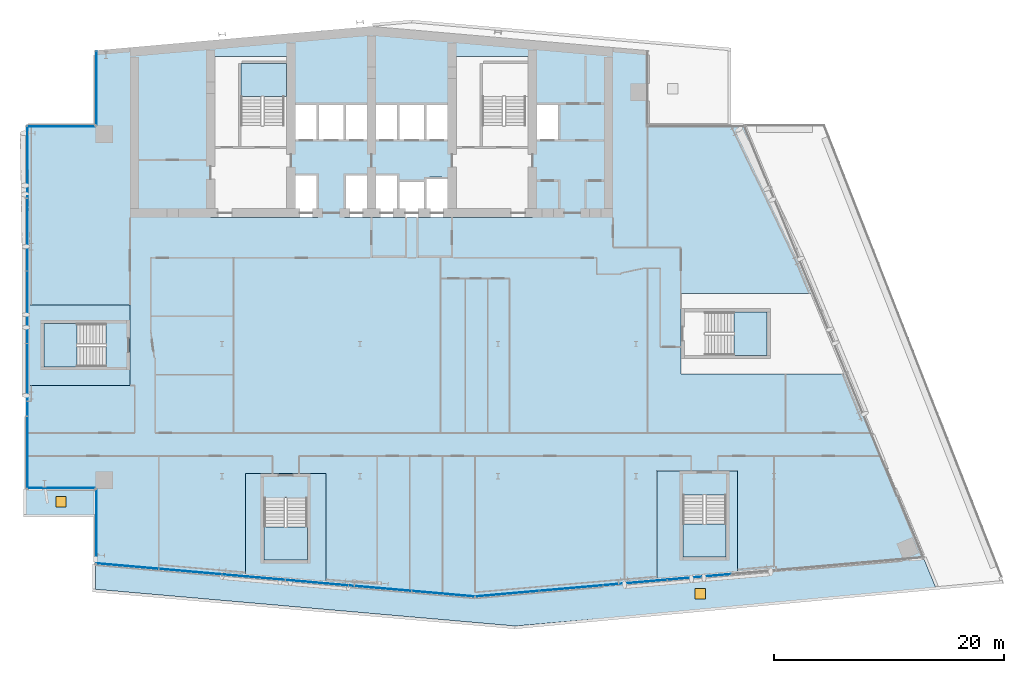
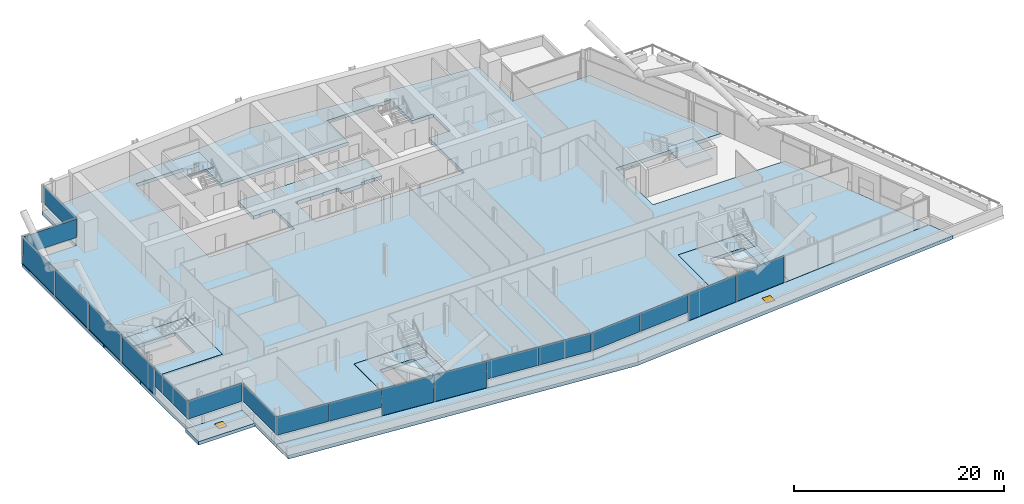
# One storey, part 12 of 30: 19 plates, 11 slabs, 2 doors, 2 openings, 12 elements without a shape of their own.
"""IFC4 building model written with IfcOpenShell, lengths in metres."""

from ifc_helpers import new_model, si_unit, direction, frame, origin, origin_2d, place, context, subcontext, project, spatial, polyline, rectangle, outline, extrude, material, layer, layer_set, type_object, element, fill, aggregate, save


model = new_model("IFC4")

# Units and contexts
model_context = context("Model", 3, precision=1e-05, world=origin(), true_north=direction((0.0, 1.0)))
body_context = subcontext(model_context, "Body", "Model", "MODEL_VIEW")
ifc_project = project(units=[si_unit("LENGTHUNIT", "METRE"), si_unit("AREAUNIT", "SQUARE_METRE"), si_unit("VOLUMEUNIT", "CUBIC_METRE"), si_unit("PLANEANGLEUNIT", "RADIAN"), si_unit("MASSUNIT", "GRAM", prefix="KILO")], contexts=[model_context])

# Site, building, storey
site_placement = place(None, origin())
site = spatial("IfcSite", under=ifc_project, at=site_placement, CompositionType="ELEMENT")
building_placement = place(site_placement, origin())
building = spatial("IfcBuilding", under=site, at=building_placement, Name="Wharfspan Tower", CompositionType="ELEMENT")
storey_placement = place(building_placement, frame((0.0, 0.0, 151.899902)))
storey = spatial("IfcBuildingStorey", under=building, at=storey_placement, Name="L36", CompositionType="ELEMENT", Elevation=151.899902)

# Curtain wall, plates
ifc_material_1 = material(Name="Aluminium 6063-T6", Category="aluminium")
curtain_wall_type_1 = type_object("IfcCurtainWallType", Name="CURTAIN WALL FACETED FRONT", PredefinedType="NOTDEFINED", material=ifc_material_1)
curtain_wall_1_placement = place(storey_placement, origin())
curtain_wall_1 = element("IfcCurtainWall", 1, at=curtain_wall_1_placement, inside=storey, type_object=curtain_wall_type_1, Name="Curtain wall S1", PredefinedType="NOTDEFINED")
ifc_material_2 = material(Name="Glass clear low-iron double glazing", Category="glass")
ifc_layer_1 = layer(ifc_material_2, 0.040039)
ifc_layer_set_1 = layer_set([ifc_layer_1], Name="Glass clear low-iron double glazing")
plate_type_1 = type_object("IfcPlateType", Name="GLASS PANEL FACETED FRONT 40", PredefinedType="CURTAIN_PANEL", material=ifc_layer_set_1)
plate_1_placement = place(storey_placement, frame((15.770264, 3.692871, 1.0), z_axis=(0.0, 0.0, 1.0), x_axis=(0.996198, -0.087156, 0.0)))
plate_1 = element("IfcPlate", 2, at=plate_1_placement, type_object=plate_type_1, Name="Curtain wall S1 panel 1", PredefinedType="CURTAIN_PANEL", context=body_context, shape_type="SweptSolid", body=[
    extrude(rectangle(XDim=5.430908, YDim=0.040039, at=origin_2d()), origin(), (0.0, 0.0, 1.0), 2.120117),
])
plate_2_placement = place(storey_placement, frame((21.255127, 3.213135, 1.0), z_axis=(0.0, 0.0, 1.0), x_axis=(0.996198, -0.087156, 0.0)))
plate_2 = element("IfcPlate", 3, at=plate_2_placement, type_object=plate_type_1, Name="Curtain wall S1 panel 2", PredefinedType="CURTAIN_PANEL", context=body_context, shape_type="SweptSolid", body=[
    extrude(rectangle(XDim=5.460938, YDim=0.040039, at=origin_2d()), origin(), (0.0, 0.0, 1.0), 2.120117),
])
plate_3_placement = place(storey_placement, frame((37.755127, 1.769531, 1.0), z_axis=(0.0, 0.0, 1.0), x_axis=(0.996198, -0.087156, 0.0)))
plate_3 = element("IfcPlate", 4, at=plate_3_placement, type_object=plate_type_1, Name="Curtain wall S1 panel 5", PredefinedType="CURTAIN_PANEL", context=body_context, shape_type="SweptSolid", body=[
    extrude(rectangle(XDim=5.460938, YDim=0.040039, at=origin_2d()), origin(), (0.0, 0.0, 1.0), 2.120117),
])
plate_4_placement = place(storey_placement, frame((43.240234, 1.289551, 1.0), z_axis=(0.0, 0.0, 1.0), x_axis=(0.996198, -0.087156, 0.0)))
plate_4 = element("IfcPlate", 5, at=plate_4_placement, type_object=plate_type_1, Name="Curtain wall S1 panel 6", PredefinedType="CURTAIN_PANEL", context=body_context, shape_type="SweptSolid", body=[
    extrude(rectangle(XDim=5.430908, YDim=0.040039, at=origin_2d()), origin(), (0.0, 0.0, 1.0), 2.120117),
])

curtain_wall_2_placement = place(storey_placement, origin())
curtain_wall_2 = element("IfcCurtainWall", 6, at=curtain_wall_2_placement, inside=storey, type_object=curtain_wall_type_1, Name="Curtain wall S2", PredefinedType="NOTDEFINED")
plate_5_placement = place(storey_placement, frame((48.79541, 1.292725, 1.0), z_axis=(0.0, 0.0, 1.0), x_axis=(0.996198, 0.087156, 0.0)))
plate_5 = element("IfcPlate", 7, at=plate_5_placement, type_object=plate_type_1, Name="Curtain wall S2 panel 1", PredefinedType="CURTAIN_PANEL", context=body_context, shape_type="SweptSolid", body=[
    extrude(rectangle(XDim=5.502686, YDim=0.040039, at=origin_2d()), origin(), (0.0, 0.0, 1.0), 2.120117),
])
plate_6_placement = place(storey_placement, frame((54.351807, 1.778809, 1.0), z_axis=(0.0, 0.0, 1.0), x_axis=(0.996198, 0.087156, 0.0)))
plate_6 = element("IfcPlate", 8, at=plate_6_placement, type_object=plate_type_1, Name="Curtain wall S2 panel 2", PredefinedType="CURTAIN_PANEL", context=body_context, shape_type="SweptSolid", body=[
    extrude(rectangle(XDim=5.532715, YDim=0.040039, at=origin_2d()), origin(), (0.0, 0.0, 1.0), 2.120117),
])

# Curtain wall, plate
curtain_wall_type_2 = type_object("IfcCurtainWallType", Name="CURTAIN WALL PROW AND END", PredefinedType="NOTDEFINED", material=ifc_material_1)
curtain_wall_3_placement = place(storey_placement, origin())
curtain_wall_3 = element("IfcCurtainWall", 9, at=curtain_wall_3_placement, inside=storey, type_object=curtain_wall_type_2, Name="Curtain wall NRW-V", PredefinedType="NOTDEFINED")
ifc_layer_2 = layer(ifc_material_2, 0.040039)
ifc_layer_set_2 = layer_set([ifc_layer_2], Name="Glass clear low-iron double glazing")
plate_type_2 = type_object("IfcPlateType", Name="GLASS PANEL PROW AND END 40", PredefinedType="CURTAIN_PANEL", material=ifc_layer_set_2)
plate_7_placement = place(storey_placement, frame((13.080078, 45.262451, 1.0), z_axis=(0.0, 0.0, 1.0), x_axis=(0.0, -1.0, 0.0)))
plate_7 = element("IfcPlate", 10, at=plate_7_placement, type_object=plate_type_2, Name="Curtain wall NRW-V panel 1", PredefinedType="CURTAIN_PANEL", context=body_context, shape_type="SweptSolid", body=[
    extrude(rectangle(XDim=6.405029, YDim=0.040039, at=origin_2d()), origin(), (0.0, 0.0, 1.0), 2.120117),
])
aggregate(curtain_wall_3, [plate_7])

curtain_wall_4_placement = place(storey_placement, origin())
curtain_wall_4 = element("IfcCurtainWall", 11, at=curtain_wall_4_placement, inside=storey, type_object=curtain_wall_type_2, Name="Curtain wall NRW-H", PredefinedType="NOTDEFINED")
plate_8_placement = place(storey_placement, frame((10.0, 41.919922, 1.0), z_axis=(0.0, 0.0, 1.0), x_axis=(-1.0, 0.0, 0.0)))
plate_8 = element("IfcPlate", 12, at=plate_8_placement, type_object=plate_type_2, Name="Curtain wall NRW-H panel 1", PredefinedType="CURTAIN_PANEL", context=body_context, shape_type="SweptSolid", body=[
    extrude(rectangle(XDim=5.879883, YDim=0.040039, at=origin_2d()), origin(), (0.0, 0.0, 1.0), 2.120117),
])
aggregate(curtain_wall_4, [plate_8])

curtain_wall_5_placement = place(storey_placement, origin())
curtain_wall_5 = element("IfcCurtainWall", 13, at=curtain_wall_5_placement, inside=storey, type_object=curtain_wall_type_2, Name="Curtain wall W", PredefinedType="NOTDEFINED")
plate_9_placement = place(storey_placement, frame((7.080078, 13.574951, 1.0), z_axis=(0.0, 0.0, 1.0), x_axis=(0.0, -1.0, 0.0)))
plate_9 = element("IfcPlate", 14, at=plate_9_placement, type_object=plate_type_2, Name="Curtain wall W panel 5", PredefinedType="CURTAIN_PANEL", context=body_context, shape_type="SweptSolid", body=[
    extrude(rectangle(XDim=6.22998, YDim=0.040039, at=origin_2d()), origin(), (0.0, 0.0, 1.0), 2.120117),
])

curtain_wall_6_placement = place(storey_placement, origin())
curtain_wall_6 = element("IfcCurtainWall", 15, at=curtain_wall_6_placement, inside=storey, type_object=curtain_wall_type_2, Name="Curtain wall NFW-H", PredefinedType="NOTDEFINED")
plate_10_placement = place(storey_placement, frame((10.0, 10.47998, 1.0), z_axis=(0.0, 0.0, 1.0), x_axis=(1.0, 0.0, 0.0)))
plate_10 = element("IfcPlate", 16, at=plate_10_placement, type_object=plate_type_2, Name="Curtain wall NFW-H panel 1", PredefinedType="CURTAIN_PANEL", context=body_context, shape_type="SweptSolid", body=[
    extrude(rectangle(XDim=5.879883, YDim=0.040039, at=origin_2d()), origin(), (0.0, 0.0, 1.0), 2.120117),
])
aggregate(curtain_wall_6, [plate_10])

curtain_wall_7_placement = place(storey_placement, origin())
curtain_wall_7 = element("IfcCurtainWall", 17, at=curtain_wall_7_placement, inside=storey, type_object=curtain_wall_type_2, Name="Curtain wall NFW-V", PredefinedType="NOTDEFINED")
plate_11_placement = place(storey_placement, frame((13.080078, 7.137451, 1.0), z_axis=(0.0, 0.0, 1.0), x_axis=(0.0, -1.0, 0.0)))
plate_11 = element("IfcPlate", 18, at=plate_11_placement, type_object=plate_type_2, Name="Curtain wall NFW-V panel 1", PredefinedType="CURTAIN_PANEL", context=body_context, shape_type="SweptSolid", body=[
    extrude(rectangle(XDim=6.405029, YDim=0.040039, at=origin_2d()), origin(), (0.0, 0.0, 1.0), 2.120117),
])
aggregate(curtain_wall_7, [plate_11])

# Plate
ifc_material_3 = material(Name="Aluminium composite opaque insulated panel", Category="aluminium")
ifc_layer_3 = layer(ifc_material_3, 0.040039)
ifc_layer_set_3 = layer_set([ifc_layer_3], Name="Aluminium composite opaque insulated panel")
plate_type_3 = type_object("IfcPlateType", Name="INFILL PANEL FACETED FRONT OPAQUE 40", PredefinedType="SHEET", material=ifc_layer_set_3)
plate_12_placement = place(storey_placement, frame((26.755127, 2.731934, 0.0), z_axis=(0.0, 0.0, 1.0), x_axis=(0.996198, -0.087156, 0.0)))
plate_12 = element("IfcPlate", 19, at=plate_12_placement, type_object=plate_type_3, Name="Curtain wall S1 panel 3", PredefinedType="SHEET", context=body_context, shape_type="SweptSolid", body=[
    extrude(rectangle(XDim=5.460938, YDim=0.040039, at=origin_2d()), origin(), (0.0, 0.0, 1.0), 3.120117),
])

plate_13_placement = place(storey_placement, frame((32.255127, 2.250732, 0.0), z_axis=(0.0, 0.0, 1.0), x_axis=(0.996198, -0.087156, 0.0)))
plate_13 = element("IfcPlate", 20, at=plate_13_placement, type_object=plate_type_3, Name="Curtain wall S1 panel 4", PredefinedType="SHEET", context=body_context, shape_type="SweptSolid", body=[
    extrude(rectangle(XDim=5.460938, YDim=0.040039, at=origin_2d()), origin(), (0.0, 0.0, 1.0), 3.120117),
])

aggregate(curtain_wall_1, [plate_1, plate_2, plate_12, plate_13, plate_3, plate_4])

plate_14_placement = place(storey_placement, frame((59.92334, 2.266357, 0.0), z_axis=(0.0, 0.0, 1.0), x_axis=(0.996198, 0.087156, 0.0)))
plate_14 = element("IfcPlate", 21, at=plate_14_placement, type_object=plate_type_3, Name="Curtain wall S2 panel 3", PredefinedType="SHEET", context=body_context, shape_type="SweptSolid", body=[
    extrude(rectangle(XDim=5.532715, YDim=0.040039, at=origin_2d()), origin(), (0.0, 0.0, 1.0), 3.120117),
])

plate_15_placement = place(storey_placement, frame((65.494873, 2.753662, 0.0), z_axis=(0.0, 0.0, 1.0), x_axis=(0.996198, 0.087156, 0.0)))
plate_15 = element("IfcPlate", 22, at=plate_15_placement, type_object=plate_type_3, Name="Curtain wall S2 panel 4", PredefinedType="SHEET", context=body_context, shape_type="SweptSolid", body=[
    extrude(rectangle(XDim=5.532715, YDim=0.040039, at=origin_2d()), origin(), (0.0, 0.0, 1.0), 3.120117),
])

aggregate(curtain_wall_2, [plate_5, plate_6, plate_14, plate_15])

ifc_layer_4 = layer(ifc_material_3, 0.040039)
ifc_layer_set_4 = layer_set([ifc_layer_4], Name="Aluminium composite opaque insulated panel")
plate_type_4 = type_object("IfcPlateType", Name="INFILL PANEL PROW AND END OPAQUE 40", PredefinedType="SHEET", material=ifc_layer_set_4)
plate_16_placement = place(storey_placement, frame((7.080078, 38.824951, 0.0), z_axis=(0.0, 0.0, 1.0), x_axis=(0.0, -1.0, 0.0)))
plate_16 = element("IfcPlate", 23, at=plate_16_placement, type_object=plate_type_4, Name="Curtain wall W panel 1", PredefinedType="SHEET", context=body_context, shape_type="SweptSolid", body=[
    extrude(rectangle(XDim=6.22998, YDim=0.040039, at=origin_2d()), origin(), (0.0, 0.0, 1.0), 3.120117),
])

plate_17_placement = place(storey_placement, frame((7.080078, 32.52002, 0.0), z_axis=(0.0, 0.0, 1.0), x_axis=(0.0, -1.0, 0.0)))
plate_17 = element("IfcPlate", 24, at=plate_17_placement, type_object=plate_type_4, Name="Curtain wall W panel 2", PredefinedType="SHEET", context=body_context, shape_type="SweptSolid", body=[
    extrude(rectangle(XDim=6.26001, YDim=0.040039, at=origin_2d()), origin(), (0.0, 0.0, 1.0), 3.120117),
])

plate_18_placement = place(storey_placement, frame((7.080078, 26.199951, 0.0), z_axis=(0.0, 0.0, 1.0), x_axis=(0.0, -1.0, 0.0)))
plate_18 = element("IfcPlate", 25, at=plate_18_placement, type_object=plate_type_4, Name="Curtain wall W panel 3", PredefinedType="SHEET", context=body_context, shape_type="SweptSolid", body=[
    extrude(rectangle(XDim=6.26001, YDim=0.040039, at=origin_2d()), origin(), (0.0, 0.0, 1.0), 3.120117),
])

plate_19_placement = place(storey_placement, frame((7.080078, 19.879883, 0.0), z_axis=(0.0, 0.0, 1.0), x_axis=(0.0, -1.0, 0.0)))
plate_19 = element("IfcPlate", 26, at=plate_19_placement, type_object=plate_type_4, Name="Curtain wall W panel 4", PredefinedType="SHEET", context=body_context, shape_type="SweptSolid", body=[
    extrude(rectangle(XDim=6.26001, YDim=0.040039, at=origin_2d()), origin(), (0.0, 0.0, 1.0), 3.120117),
])

aggregate(curtain_wall_5, [plate_16, plate_17, plate_18, plate_19, plate_9])

# Slabs
ifc_material_4 = material(Name="Concrete C40/50", Category="concrete")
ifc_layer_5 = layer(ifc_material_4, 0.399902)
ifc_layer_set_5 = layer_set([ifc_layer_5], Name="Concrete C40/50")
slab_type_1 = type_object("IfcSlabType", Name="Post-tensioned flat slab 400", PredefinedType="FLOOR", material=ifc_layer_set_5)
slab_1_placement = place(storey_placement, frame((0.0, 0.0, -0.400146)))
element("IfcSlab", 27, at=slab_1_placement, inside=storey, type_object=slab_type_1, Name="Floor slab L36", PredefinedType="FLOOR", context=body_context, shape_type="SweptSolid", body=[
    extrude(outline(polyline([(26.029297, 2.735107), (26.029297, 11.744385), (33.049316, 11.744385), (33.049316, 2.121094), (46.0, 0.987793), (61.801514, 2.370361), (61.801514, 11.993652), (68.821289, 11.993652), (68.821289, 2.984619), (85.0, 4.399902), (78.398682, 20.389893), (63.894531, 20.389893), (63.894531, 27.409912), (75.500488, 27.409912), (69.477051, 42.0), (61.0, 42.0), (61.0, 48.524902), (37.0, 50.624756), (13.0, 48.524902), (13.0, 42.0), (7.0, 42.0), (7.0, 26.409912), (16.01001, 26.409912), (16.01001, 19.389893), (7.0, 19.389893), (7.0, 10.399902), (13.0, 10.399902), (13.0, 3.875), (26.029297, 2.735107)]), holes=[polyline([(32.126709, 37.76001), (32.343262, 37.76001), (32.343262, 33.98999), (22.98999, 33.98999), (22.98999, 48.01001), (30.01001, 48.01001), (30.01001, 43.909912), (43.98999, 43.909912), (43.98999, 48.01001), (51.01001, 48.01001), (51.01001, 43.909912), (53.343262, 43.909912), (53.343262, 40.689941), (51.01001, 40.689941), (51.01001, 33.98999), (34.656738, 33.98999), (34.656738, 37.76001), (34.873291, 37.76001), (34.873291, 37.810059), (36.293213, 37.810059), (36.293213, 37.76001), (37.666748, 37.76001), (37.666748, 37.810059), (39.166748, 37.810059), (39.166748, 37.76001), (39.343262, 37.76001), (39.343262, 37.209961), (41.656738, 37.209961), (41.656738, 37.459961), (42.023193, 37.459961), (42.023193, 37.51001), (43.143311, 37.51001), (43.143311, 37.459961), (43.98999, 37.459961), (43.98999, 40.689941), (30.01001, 40.689941), (30.01001, 37.76001), (30.706787, 37.76001), (30.706787, 37.810059), (32.126709, 37.810059), (32.126709, 37.76001)])]), origin(), (0.0, 0.0, 1.0), 0.400146),
])
slab_2_placement = place(storey_placement, frame((0.0, 0.0, -0.400146)))
element("IfcSlab", 28, at=slab_2_placement, inside=storey, type_object=slab_type_1, Name="Core floor slab L36 part 1", PredefinedType="FLOOR", context=body_context, shape_type="SweptSolid", body=[
    extrude(outline(polyline([(16.0, 20.725098), (16.0, 25.074951), (16.0, 26.399902), (7.0, 26.399902), (7.0, 19.399902), (16.0, 19.399902), (16.0, 20.725098)]), holes=[polyline([(13.899902, 24.7771), (13.900146, 24.7771), (13.900391, 24.7771), (13.900635, 24.776855), (13.900879, 24.776855), (13.900879, 24.776855), (13.901123, 24.776611), (13.901367, 24.776611), (13.901367, 24.776367), (13.901611, 24.776367), (13.901611, 24.776123), (13.901855, 24.775879), (13.901855, 24.775879), (13.901855, 24.775635), (13.9021, 24.775391), (13.9021, 24.775146), (13.9021, 24.774902), (13.9021, 21.024902), (13.9021, 21.024902), (13.9021, 21.024658), (13.901855, 21.024414), (13.901855, 21.02417), (13.901855, 21.02417), (13.901611, 21.023926), (13.901611, 21.023682), (13.901367, 21.023682), (13.901367, 21.023438), (13.901123, 21.023193), (13.900879, 21.023193), (13.900879, 21.023193), (13.900635, 21.023193), (13.900391, 21.022949), (13.900146, 21.022949), (13.899902, 21.022949), (8.5, 21.022949), (8.499756, 21.022949), (8.499512, 21.022949), (8.499512, 21.023193), (8.499268, 21.023193), (8.499023, 21.023193), (8.498779, 21.023193), (8.498779, 21.023438), (8.498535, 21.023682), (8.498535, 21.023682), (8.498291, 21.023926), (8.498291, 21.02417), (8.498291, 21.02417), (8.498047, 21.024414), (8.498047, 21.024658), (8.498047, 21.024902), (8.498047, 21.024902), (8.498047, 24.774902), (8.498047, 24.775146), (8.498047, 24.775391), (8.498047, 24.775635), (8.498291, 24.775879), (8.498291, 24.775879), (8.498291, 24.776123), (8.498535, 24.776367), (8.498535, 24.776367), (8.498779, 24.776611), (8.498779, 24.776611), (8.499023, 24.776855), (8.499268, 24.776855), (8.499512, 24.776855), (8.499512, 24.7771), (8.499756, 24.7771), (8.5, 24.7771), (13.899902, 24.7771)])]), origin(), (0.0, 0.0, 1.0), 0.400146),
])
slab_3_placement = place(storey_placement, frame((0.0, 0.0, -0.400146)))
element("IfcSlab", 29, at=slab_3_placement, inside=storey, type_object=slab_type_1, Name="Core floor slab L36 part 2", PredefinedType="FLOOR", context=body_context, shape_type="SweptSolid", body=[
    extrude(outline(polyline([(31.714111, 11.734375), (27.364258, 11.734375), (26.039307, 11.734375), (26.039307, 2.734375), (30.644287, 2.331299), (33.039307, 2.121826), (33.039307, 11.734375), (31.714111, 11.734375)]), holes=[polyline([(27.662109, 9.634277), (27.662109, 9.634521), (27.662354, 9.634766), (27.662354, 9.63501), (27.662354, 9.63501), (27.662598, 9.635254), (27.662598, 9.635498), (27.662598, 9.635498), (27.662842, 9.635742), (27.663086, 9.635742), (27.663086, 9.635986), (27.66333, 9.635986), (27.663574, 9.635986), (27.663574, 9.63623), (27.663818, 9.63623), (27.664062, 9.63623), (27.664307, 9.63623), (31.414307, 9.63623), (31.414307, 9.63623), (31.414551, 9.63623), (31.414795, 9.63623), (31.415039, 9.635986), (31.415283, 9.635986), (31.415283, 9.635986), (31.415527, 9.635742), (31.415527, 9.635742), (31.415771, 9.635498), (31.416016, 9.635498), (31.416016, 9.635254), (31.416016, 9.63501), (31.416016, 9.63501), (31.41626, 9.634766), (31.41626, 9.634521), (31.41626, 9.634277), (31.41626, 4.234375), (31.41626, 4.234131), (31.41626, 4.233887), (31.416016, 4.233643), (31.416016, 4.233398), (31.416016, 4.233398), (31.416016, 4.233154), (31.415771, 4.23291), (31.415527, 4.23291), (31.415527, 4.232666), (31.415283, 4.232666), (31.415283, 4.232422), (31.415039, 4.232422), (31.414795, 4.232422), (31.414551, 4.232422), (31.414307, 4.232422), (31.414307, 4.232422), (27.664307, 4.232422), (27.664062, 4.232422), (27.663818, 4.232422), (27.663574, 4.232422), (27.663574, 4.232422), (27.66333, 4.232422), (27.663086, 4.232666), (27.663086, 4.232666), (27.662842, 4.23291), (27.662598, 4.23291), (27.662598, 4.233154), (27.662598, 4.233398), (27.662354, 4.233398), (27.662354, 4.233643), (27.662354, 4.233887), (27.662109, 4.234131), (27.662109, 4.234375), (27.662109, 9.634277)])]), origin(), (0.0, 0.0, 1.0), 0.400146),
])
slab_4_placement = place(storey_placement, frame((0.0, 0.0, -0.400146)))
element("IfcSlab", 30, at=slab_4_placement, inside=storey, type_object=slab_type_1, Name="Core floor slab L36 part 4", PredefinedType="FLOOR", context=body_context, shape_type="SweptSolid", body=[
    extrude(outline(polyline([(68.811279, 11.983643), (68.136475, 11.983643), (63.786377, 11.983643), (61.811279, 11.983643), (61.811279, 2.371338), (64.644287, 2.619141), (68.811279, 2.983643), (68.811279, 11.983643)]), holes=[polyline([(67.836426, 9.885742), (67.836426, 9.885742), (67.83667, 9.885498), (67.836914, 9.885498), (67.837158, 9.885498), (67.837402, 9.885498), (67.837402, 9.885254), (67.837646, 9.885254), (67.837891, 9.88501), (67.837891, 9.88501), (67.837891, 9.884766), (67.838135, 9.884521), (67.838135, 9.884521), (67.838379, 9.884277), (67.838379, 9.884033), (67.838379, 9.883789), (67.838379, 9.883789), (67.838379, 4.483643), (67.838379, 4.483398), (67.838379, 4.483398), (67.838379, 4.483154), (67.838135, 4.48291), (67.838135, 4.482666), (67.837891, 4.482666), (67.837891, 4.482422), (67.837891, 4.482422), (67.837646, 4.482178), (67.837402, 4.481934), (67.837402, 4.481934), (67.837158, 4.481689), (67.836914, 4.481689), (67.83667, 4.481689), (67.836426, 4.481689), (67.836426, 4.481689), (64.086426, 4.481689), (64.086182, 4.481689), (64.085938, 4.481689), (64.085693, 4.481689), (64.085693, 4.481689), (64.085449, 4.481934), (64.085205, 4.481934), (64.085205, 4.482178), (64.084961, 4.482422), (64.084717, 4.482422), (64.084717, 4.482666), (64.084717, 4.482666), (64.084473, 4.48291), (64.084473, 4.483154), (64.084473, 4.483398), (64.084473, 4.483398), (64.084473, 4.483643), (64.084473, 9.883789), (64.084473, 9.883789), (64.084473, 9.884033), (64.084473, 9.884277), (64.084473, 9.884521), (64.084717, 9.884521), (64.084717, 9.884766), (64.084717, 9.88501), (64.084961, 9.88501), (64.085205, 9.885254), (64.085205, 9.885254), (64.085449, 9.885498), (64.085693, 9.885498), (64.085693, 9.885498), (64.085938, 9.885498), (64.086182, 9.885742), (64.086426, 9.885742), (67.836426, 9.885742)])]), origin(), (0.0, 0.0, 1.0), 0.400146),
])

# Stair, slab
stair_type = type_object("IfcStairType", Name="Half-turn stair 20 risers 180 mm", PredefinedType="HALF_TURN_STAIR", material=ifc_material_4)
stair_1_placement = place(storey_placement, origin())
stair_1 = element("IfcStair", 31, at=stair_1_placement, inside=storey, type_object=stair_type, Name="L36 stair ST1", PredefinedType="HALF_TURN_STAIR")
ifc_layer_6 = layer(ifc_material_4, 0.199951)
ifc_layer_set_6 = layer_set([ifc_layer_6], Name="Concrete C40/50")
slab_type_2 = type_object("IfcSlabType", Name="Stair landing 200", PredefinedType="LANDING", material=ifc_layer_set_6)
slab_5_placement = place(storey_placement, frame((0.0, 0.0, 1.599854)))
slab_5 = element("IfcSlab", 32, at=slab_5_placement, type_object=slab_type_2, Name="ST1 landing 1", PredefinedType="LANDING", context=body_context, shape_type="SweptSolid", body=[
    extrude(outline(polyline([(25.649902, 44.52002), (29.600098, 44.52002), (29.600098, 47.399902), (25.649902, 47.399902), (25.649902, 44.52002)])), origin(), (0.0, 0.0, 1.0), 0.200195),
])
aggregate(stair_1, [slab_5])

stair_2_placement = place(storey_placement, origin())
stair_2 = element("IfcStair", 33, at=stair_2_placement, inside=storey, type_object=stair_type, Name="L36 stair ST3", PredefinedType="HALF_TURN_STAIR")
slab_6_placement = place(storey_placement, frame((0.0, 0.0, 1.599854)))
slab_6 = element("IfcSlab", 34, at=slab_6_placement, type_object=slab_type_2, Name="ST3 landing 1", PredefinedType="LANDING", context=body_context, shape_type="SweptSolid", body=[
    extrude(outline(polyline([(11.379883, 24.774902), (8.5, 24.774902), (8.5, 21.024902), (11.379883, 21.024902), (11.379883, 24.774902)])), origin(), (0.0, 0.0, 1.0), 0.200195),
])
aggregate(stair_2, [slab_6])

stair_3_placement = place(storey_placement, origin())
stair_3 = element("IfcStair", 35, at=stair_3_placement, inside=storey, type_object=stair_type, Name="L36 stair ST4", PredefinedType="HALF_TURN_STAIR")
slab_7_placement = place(storey_placement, frame((0.0, 0.0, 1.599854)))
slab_7 = element("IfcSlab", 36, at=slab_7_placement, type_object=slab_type_2, Name="ST4 landing 1", PredefinedType="LANDING", context=body_context, shape_type="SweptSolid", body=[
    extrude(outline(polyline([(27.664307, 7.114258), (27.664307, 4.234375), (31.414307, 4.234375), (31.414307, 7.114258), (27.664307, 7.114258)])), origin(), (0.0, 0.0, 1.0), 0.200195),
])
aggregate(stair_3, [slab_7])

stair_4_placement = place(storey_placement, origin())
stair_4 = element("IfcStair", 37, at=stair_4_placement, inside=storey, type_object=stair_type, Name="L36 stair ST5", PredefinedType="HALF_TURN_STAIR")
slab_8_placement = place(storey_placement, frame((0.0, 0.0, 1.599854)))
slab_8 = element("IfcSlab", 38, at=slab_8_placement, type_object=slab_type_2, Name="ST5 landing 1", PredefinedType="LANDING", context=body_context, shape_type="SweptSolid", body=[
    extrude(outline(polyline([(64.086426, 7.36377), (64.086426, 4.483643), (67.836426, 4.483643), (67.836426, 7.36377), (64.086426, 7.36377)])), origin(), (0.0, 0.0, 1.0), 0.200195),
])
aggregate(stair_4, [slab_8])

stair_5_placement = place(storey_placement, origin())
stair_5 = element("IfcStair", 39, at=stair_5_placement, inside=storey, type_object=stair_type, Name="L36 stair ST6", PredefinedType="HALF_TURN_STAIR")
slab_9_placement = place(storey_placement, frame((0.0, 0.0, 1.599854)))
slab_9 = element("IfcSlab", 40, at=slab_9_placement, type_object=slab_type_2, Name="ST6 landing 1", PredefinedType="LANDING", context=body_context, shape_type="SweptSolid", body=[
    extrude(outline(polyline([(68.524658, 22.024902), (71.404541, 22.024902), (71.404541, 25.774902), (68.524658, 25.774902), (68.524658, 22.024902)])), origin(), (0.0, 0.0, 1.0), 0.200195),
])
aggregate(stair_5, [slab_9])

# Slab, opening, door
ifc_layer_7 = layer(ifc_material_4, 0.399902)
ifc_layer_set_7 = layer_set([ifc_layer_7], Name="Concrete C40/50")
slab_type_3 = type_object("IfcSlabType", Name="Terrace slab 400", PredefinedType="FLOOR", material=ifc_layer_set_7)
slab_10_placement = place(storey_placement, frame((0.0, 0.0, -0.400146)))
slab_10 = element("IfcSlab", 41, at=slab_10_placement, inside=storey, type_object=slab_type_3, Name="Ledge slab G2F1 L36", PredefinedType="FLOOR", context=body_context, shape_type="SweptSolid", body=[
    extrude(outline(polyline([(49.5, -1.518311), (86.120605, 1.685547), (85.000732, 4.398193), (46.0, 0.98584), (13.0, 3.873047), (13.0, 1.675049), (49.5, -1.518311)])), origin(), (0.0, 0.0, 1.0), 0.400146),
])
opening_1_placement = place(slab_10_placement, frame((65.585205, 1.294189, 0.0)))
opening_1 = element("IfcOpeningElement", 42, at=opening_1_placement, cuts=slab_10, Name="Opening RH1", PredefinedType="OPENING", context=body_context, shape_type="SweptSolid", body=[
    extrude(rectangle(XDim=0.899902, YDim=0.899902, at=origin_2d()), frame((0.0, 0.0, -0.01001)), (0.0, 0.0, 1.0), 0.419922),
])
ifc_material_5 = material(Name="Steel S355J2", Category="steel")
door_type = type_object("IfcDoorType", Name="ROOF HATCH 900x900", OperationType="SINGLE_SWING_LEFT", PredefinedType="TRAPDOOR", material=ifc_material_5)
door_1_placement = place(opening_1_placement, frame((0.0, 0.0, 0.359863)))
door_1 = element("IfcDoor", 43, at=door_1_placement, inside=storey, type_object=door_type, Name="Roof hatch", OperationType="SINGLE_SWING_LEFT", OverallHeight=0.899902, OverallWidth=0.899902, PredefinedType="TRAPDOOR", context=body_context, shape_type="SweptSolid", body=[
    extrude(rectangle(XDim=0.899902, YDim=0.899902, at=origin_2d()), origin(), (0.0, 0.0, 1.0), 0.050049),
])
fill(opening_1, door_1)

slab_11_placement = place(storey_placement, frame((0.0, 0.0, -0.400146)))
slab_11 = element("IfcSlab", 44, at=slab_11_placement, inside=storey, type_object=slab_type_3, Name="Ledge slab G2F3 L36", PredefinedType="FLOOR", context=body_context, shape_type="SweptSolid", body=[
    extrude(outline(polyline([(6.75, 7.949951), (13.0, 7.949951), (13.0, 10.397949), (6.75, 10.397949), (6.75, 7.949951)])), origin(), (0.0, 0.0, 1.0), 0.400146),
])
opening_2_placement = place(slab_11_placement, frame((9.999023, 9.299072, 0.0)))
opening_2 = element("IfcOpeningElement", 45, at=opening_2_placement, cuts=slab_11, Name="Opening RH1", PredefinedType="OPENING", context=body_context, shape_type="SweptSolid", body=[
    extrude(rectangle(XDim=0.899902, YDim=0.899902, at=origin_2d()), frame((0.0, 0.0, -0.01001)), (0.0, 0.0, 1.0), 0.419922),
])
door_2_placement = place(opening_2_placement, frame((0.0, 0.0, 0.359863)))
door_2 = element("IfcDoor", 46, at=door_2_placement, inside=storey, type_object=door_type, Name="Roof hatch", OperationType="SINGLE_SWING_LEFT", OverallHeight=0.899902, OverallWidth=0.899902, PredefinedType="TRAPDOOR", context=body_context, shape_type="SweptSolid", body=[
    extrude(rectangle(XDim=0.899902, YDim=0.899902, at=origin_2d()), origin(), (0.0, 0.0, 1.0), 0.050049),
])
fill(opening_2, door_2)

save(model, "model.ifc")
